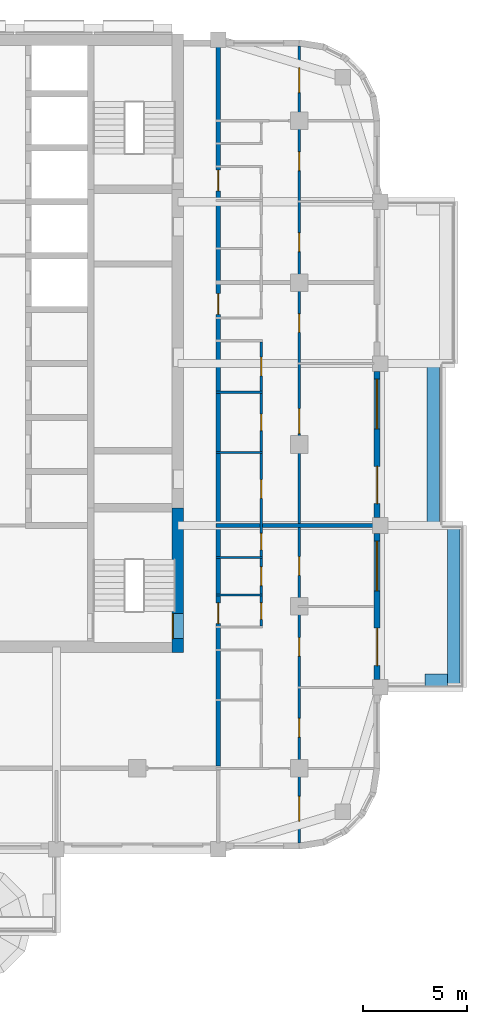
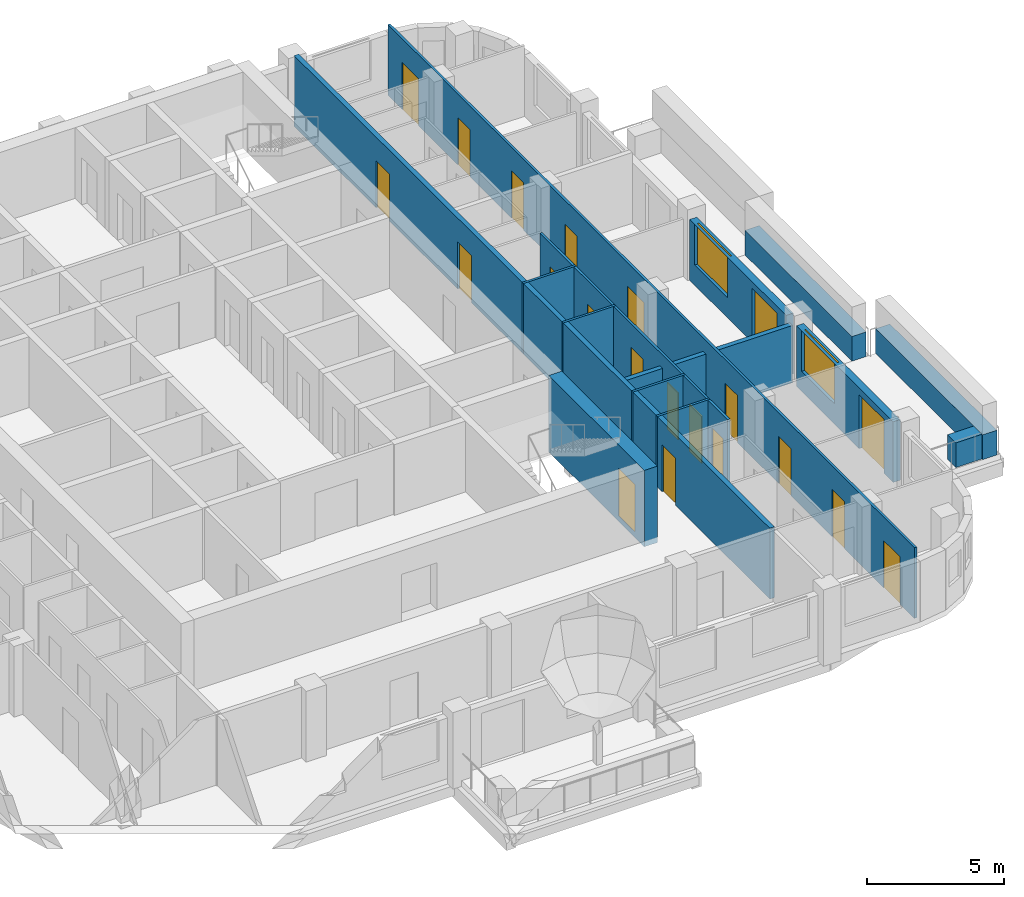
# One storey, part 6 of 14: 21 doors, 14 walls, 2 windows, 23 openings.
"""IFC4 building model written with IfcOpenShell, lengths in metres."""

from ifc_helpers import new_model, si_unit, direction, frame, frame_2d, origin, place, context, subcontext, project, spatial, rectangle, extrude, material, layer, layer_set, type_object, element, fill, save


model = new_model("IFC4")

# Units and contexts
model_context = context("Model", 3, precision=1e-05, world=origin(), true_north=direction((0.0, 1.0)))
body_context = subcontext(model_context, "Body", "Model", "MODEL_VIEW")
ifc_project = project(units=[si_unit("LENGTHUNIT", "METRE"), si_unit("AREAUNIT", "SQUARE_METRE"), si_unit("VOLUMEUNIT", "CUBIC_METRE"), si_unit("PLANEANGLEUNIT", "RADIAN"), si_unit("MASSUNIT", "GRAM", prefix="KILO")], contexts=[model_context])

# Site, building, storey
site_placement = place(None, origin())
site = spatial("IfcSite", under=ifc_project, at=site_placement, CompositionType="ELEMENT")
building_placement = place(site_placement, origin())
building = spatial("IfcBuilding", under=site, at=building_placement, Name="Ludao Terraces", CompositionType="ELEMENT")
storey_placement = place(building_placement, frame((0.0, 0.0, 182.60009765625)))
storey = spatial("IfcBuildingStorey", under=building, at=storey_placement, Name="L49", CompositionType="ELEMENT", Elevation=182.60009765625)

# Wall, opening, door
ifc_material_1 = material(Name="Concrete C60", Category="concrete")
ifc_layer_1 = layer(ifc_material_1, 0.550048828125)
ifc_layer_set_1 = layer_set([ifc_layer_1], Name="Core wall 550 C60")
wall_type_1 = type_object("IfcWallType", Name="Core wall 550 C60", PredefinedType="SOLIDWALL", material=ifc_layer_set_1)
wall_1_placement = place(storey_placement, frame((94.75, 54.97509765625, -0.25), z_axis=(0.0, 0.0, 1.0), x_axis=(0.0, 1.0, 0.0)))
wall_1 = element("IfcWall", 1, at=wall_1_placement, inside=storey, type_object=wall_type_1, Name="Core wall L49 outer-E-S3", PredefinedType="SOLIDWALL", context=body_context, shape_type="SweptSolid", body=[
    extrude(rectangle(XDim=6.974853515625, YDim=0.550048828125, at=frame_2d((3.4873046875, 0.0))), origin(), (0.0, 0.0, 1.0), 3.39990234375),
])
opening_1_placement = place(wall_1_placement, frame((0.675048828125, 0.0, 0.25)))
opening_1 = element("IfcOpeningElement", 2, at=opening_1_placement, cuts=wall_1, Name="Opening R17-017", PredefinedType="OPENING", context=body_context, shape_type="SweptSolid", body=[
    extrude(rectangle(XDim=1.199951171875, YDim=2.10009765625, at=frame_2d((0.60009765625, 1.050048828125))), frame((0.0, 0.28515625, 0.0), z_axis=(0.0, -1.0, 0.0), x_axis=(1.0, 0.0, 0.0)), (0.0, 0.0, 1.0), 0.570068359375),
])
ifc_material_2 = material(Name="Steel Q235", Category="steel")
door_type_1 = type_object("IfcDoorType", Name="INT Stair door 1200", OperationType="DOUBLE_DOOR_SINGLE_SWING", PredefinedType="DOOR", material=ifc_material_2)
door_1_placement = place(opening_1_placement, origin())
door_1 = element("IfcDoor", 3, at=door_1_placement, inside=storey, type_object=door_type_1, Name="DOOR 017", OperationType="DOUBLE_DOOR_SINGLE_SWING", OverallHeight=2.10009765625, OverallWidth=1.199951171875, PredefinedType="DOOR", context=body_context, shape_type="SweptSolid", body=[
    extrude(rectangle(XDim=1.199951171875, YDim=2.10009765625, at=frame_2d((0.60009765625, 1.050048828125))), frame((0.0, 0.26025390625, 0.0), z_axis=(0.0, -1.0, 0.0), x_axis=(1.0, 0.0, 0.0)), (0.0, 0.0, 1.0), 0.050048828125),
])
fill(opening_1, door_1)

# Walls
ifc_material_3 = material(Name="Concrete C40", Category="concrete")
ifc_layer_2 = layer(ifc_material_3, 0.60009765625)
ifc_layer_set_2 = layer_set([ifc_layer_2], Name="ENV Planter trough 600")
wall_type_2 = type_object("IfcWallType", Name="ENV Planter trough 600", PredefinedType="USERDEFINED", material=ifc_layer_set_2)
wall_2_placement = place(storey_placement, frame((108.050048828125, 53.300048828125, 0.0), z_axis=(0.0, 0.0, 1.0), x_axis=(0.0, 1.0, 0.0)))
element("IfcWall", 4, at=wall_2_placement, inside=storey, type_object=wall_type_2, Name="PL-L49-E1", ObjectType="PLANTER", PredefinedType="USERDEFINED", context=body_context, shape_type="SweptSolid", body=[
    extrude(rectangle(XDim=7.800048828125, YDim=0.60009765625, at=frame_2d((3.89990234375, 0.0))), origin(), (0.0, 0.0, 1.0), 1.099853515625),
])
wall_3_placement = place(storey_placement, frame((107.75, 53.64990234375, 0.0), z_axis=(0.0, 0.0, 1.0), x_axis=(-1.0, 0.0, 0.0)))
element("IfcWall", 5, at=wall_3_placement, inside=storey, type_object=wall_type_2, Name="PL-L49-E1-SA", ObjectType="PLANTER", PredefinedType="USERDEFINED", context=body_context, shape_type="SweptSolid", body=[
    extrude(rectangle(XDim=1.10009765625, YDim=0.60009765625, at=frame_2d((0.550048828125, 0.0))), origin(), (0.0, 0.0, 1.0), 1.099853515625),
])
wall_4_placement = place(storey_placement, frame((107.050048828125, 61.10009765625, 0.0), z_axis=(0.0, 0.0, 1.0), x_axis=(0.0, 1.0, 0.0)))
element("IfcWall", 6, at=wall_4_placement, inside=storey, type_object=wall_type_2, Name="PL-L49-E2", ObjectType="PLANTER", PredefinedType="USERDEFINED", context=body_context, shape_type="SweptSolid", body=[
    extrude(rectangle(XDim=7.7998046875, YDim=0.60009765625, at=frame_2d((3.89990234375, 0.0))), origin(), (0.0, 0.0, 1.0), 1.099853515625),
])

# Wall, openings, door, window
ifc_material_4 = material(Name="Granite cladding", Category="masonry")
ifc_layer_3 = layer(ifc_material_4, 0.0400390625, Category="stone")
ifc_material_5 = material(Name="Mineral wool")
ifc_layer_4 = layer(ifc_material_5, 0.06005859375)
ifc_layer_5 = layer(ifc_material_3, 0.199951171875, Category="concrete")
ifc_layer_set_3 = layer_set([ifc_layer_3, ifc_layer_4, ifc_layer_5], Name="ENV Stone-clad wall 300")
wall_type_3 = type_object("IfcWallType", Name="ENV Stone-clad wall 300", PredefinedType="SOLIDWALL", material=ifc_layer_set_3)
wall_5_placement = place(storey_placement, frame((104.35009765625, 53.675048828125, 0.0), z_axis=(0.0, 0.0, 1.0), x_axis=(0.0, 1.0, 0.0)))
wall_5 = element("IfcWall", 7, at=wall_5_placement, inside=storey, type_object=wall_type_3, Name="EW-L49-E2", PredefinedType="SOLIDWALL", context=body_context, shape_type="SweptSolid", body=[
    extrude(rectangle(XDim=7.050048828125, YDim=0.300048828125, at=frame_2d((3.52490234375, 0.0))), origin(), (0.0, 0.0, 1.0), 2.699951171875),
])
opening_2_placement = place(wall_5_placement, frame((0.675048828125, 0.0, 0.0)))
opening_2 = element("IfcOpeningElement", 8, at=opening_2_placement, cuts=wall_5, Name="Opening BD", PredefinedType="OPENING", context=body_context, shape_type="SweptSolid", body=[
    extrude(rectangle(XDim=1.800048828125, YDim=2.39990234375, at=frame_2d((0.89990234375, 1.199951171875))), frame((0.0, 0.16015625, 0.0), z_axis=(0.0, -1.0, 0.0), x_axis=(1.0, 0.0, 0.0)), (0.0, 0.0, 1.0), 0.320068359375),
])
opening_3_placement = place(wall_5_placement, frame((4.27490234375, 0.0, 0.89990234375)))
opening_3 = element("IfcOpeningElement", 9, at=opening_3_placement, cuts=wall_5, Name="Opening W1", PredefinedType="OPENING", context=body_context, shape_type="SweptSolid", body=[
    extrude(rectangle(XDim=2.39990234375, YDim=1.800048828125, at=frame_2d((1.199951171875, 0.89990234375))), frame((0.0, 0.16015625, 0.0), z_axis=(0.0, -1.0, 0.0), x_axis=(1.0, 0.0, 0.0)), (0.0, 0.0, 1.0), 0.320068359375),
])
ifc_material_6 = material(Name="Aluminium glazed door", Category="aluminium")
ifc_layer_6 = layer(ifc_material_6, 0.06005859375)
ifc_layer_set_4 = layer_set([ifc_layer_6], Name="ENV Balcony door BD 1800x2400")
door_type_2 = type_object("IfcDoorType", Name="ENV Balcony door BD 1800x2400", OperationType="DOUBLE_DOOR_SINGLE_SWING", PredefinedType="DOOR", material=ifc_layer_set_4)
door_2_placement = place(opening_2_placement, origin())
door_2 = element("IfcDoor", 10, at=door_2_placement, inside=storey, type_object=door_type_2, Name="BD-L49-E2-1", OperationType="DOUBLE_DOOR_SINGLE_SWING", OverallHeight=2.39990234375, OverallWidth=1.800048828125, PredefinedType="DOOR", context=body_context, shape_type="SweptSolid", body=[
    extrude(rectangle(XDim=1.800048828125, YDim=2.39990234375, at=frame_2d((0.89990234375, 1.199951171875))), frame((0.0, 0.02490234375, 0.0), z_axis=(0.0, -1.0, 0.0), x_axis=(1.0, 0.0, 0.0)), (0.0, 0.0, 1.0), 0.050048828125),
])
fill(opening_2, door_2)
ifc_material_7 = material(Name="Clear glass in aluminium frame", Category="aluminium")
ifc_layer_7 = layer(ifc_material_7, 0.06005859375)
ifc_layer_set_5 = layer_set([ifc_layer_7], Name="ENV Window W1 2400x1800")
window_type = type_object("IfcWindowType", Name="ENV Window W1 2400x1800", PartitioningType="DOUBLE_PANEL_VERTICAL", PredefinedType="WINDOW", material=ifc_layer_set_5)
window_1_placement = place(opening_3_placement, origin())
window_1 = element("IfcWindow", 11, at=window_1_placement, inside=storey, type_object=window_type, Name="W-L49-E2-2", OverallHeight=1.800048828125, OverallWidth=2.39990234375, PartitioningType="DOUBLE_PANEL_VERTICAL", PredefinedType="WINDOW", context=body_context, shape_type="SweptSolid", body=[
    extrude(rectangle(XDim=2.39990234375, YDim=1.800048828125, at=frame_2d((1.199951171875, 0.89990234375))), frame((0.0, 0.030029296875, 0.0), z_axis=(0.0, -1.0, 0.0), x_axis=(1.0, 0.0, 0.0)), (0.0, 0.0, 1.0), 0.06005859375),
])
fill(opening_3, window_1)

wall_6_placement = place(storey_placement, frame((104.35009765625, 61.47509765625, 0.0), z_axis=(0.0, 0.0, 1.0), x_axis=(0.0, 1.0, 0.0)))
wall_6 = element("IfcWall", 12, at=wall_6_placement, inside=storey, type_object=wall_type_3, Name="EW-L49-E3", PredefinedType="SOLIDWALL", context=body_context, shape_type="SweptSolid", body=[
    extrude(rectangle(XDim=7.0498046875, YDim=0.300048828125, at=frame_2d((3.52490234375, 0.0))), origin(), (0.0, 0.0, 1.0), 2.699951171875),
])
opening_4_placement = place(wall_6_placement, frame((0.675048828125, 0.0, 0.0)))
opening_4 = element("IfcOpeningElement", 13, at=opening_4_placement, cuts=wall_6, Name="Opening BD", PredefinedType="OPENING", context=body_context, shape_type="SweptSolid", body=[
    extrude(rectangle(XDim=1.800048828125, YDim=2.39990234375, at=frame_2d((0.89990234375, 1.199951171875))), frame((0.0, 0.16015625, 0.0), z_axis=(0.0, -1.0, 0.0), x_axis=(1.0, 0.0, 0.0)), (0.0, 0.0, 1.0), 0.320068359375),
])
opening_5_placement = place(wall_6_placement, frame((4.27490234375, 0.0, 0.89990234375)))
opening_5 = element("IfcOpeningElement", 14, at=opening_5_placement, cuts=wall_6, Name="Opening W1", PredefinedType="OPENING", context=body_context, shape_type="SweptSolid", body=[
    extrude(rectangle(XDim=2.39990234375, YDim=1.800048828125, at=frame_2d((1.199951171875, 0.89990234375))), frame((0.0, 0.16015625, 0.0), z_axis=(0.0, -1.0, 0.0), x_axis=(1.0, 0.0, 0.0)), (0.0, 0.0, 1.0), 0.320068359375),
])
door_3_placement = place(opening_4_placement, origin())
door_3 = element("IfcDoor", 15, at=door_3_placement, inside=storey, type_object=door_type_2, Name="BD-L49-E3-1", OperationType="DOUBLE_DOOR_SINGLE_SWING", OverallHeight=2.39990234375, OverallWidth=1.800048828125, PredefinedType="DOOR", context=body_context, shape_type="SweptSolid", body=[
    extrude(rectangle(XDim=1.800048828125, YDim=2.39990234375, at=frame_2d((0.89990234375, 1.199951171875))), frame((0.0, 0.02490234375, 0.0), z_axis=(0.0, -1.0, 0.0), x_axis=(1.0, 0.0, 0.0)), (0.0, 0.0, 1.0), 0.050048828125),
])
fill(opening_4, door_3)
window_2_placement = place(opening_5_placement, origin())
window_2 = element("IfcWindow", 16, at=window_2_placement, inside=storey, type_object=window_type, Name="W-L49-E3-2", OverallHeight=1.800048828125, OverallWidth=2.39990234375, PartitioningType="DOUBLE_PANEL_VERTICAL", PredefinedType="WINDOW", context=body_context, shape_type="SweptSolid", body=[
    extrude(rectangle(XDim=2.39990234375, YDim=1.800048828125, at=frame_2d((1.199951171875, 0.89990234375))), frame((0.0, 0.030029296875, 0.0), z_axis=(0.0, -1.0, 0.0), x_axis=(1.0, 0.0, 0.0)), (0.0, 0.0, 1.0), 0.06005859375),
])
fill(opening_5, window_2)

# Wall, openings, doors
ifc_material_8 = material(Name="Autoclaved aerated concrete block B06 A3.5", Category="concrete")
ifc_layer_8 = layer(ifc_material_8, 0.199951171875)
ifc_layer_set_6 = layer_set([ifc_layer_8], Name="INT Entrance wall 200")
wall_type_4 = type_object("IfcWallType", Name="INT Entrance wall 200", PredefinedType="PARTITIONING", material=ifc_layer_set_6)
wall_7_placement = place(storey_placement, frame((96.699951171875, 49.5, 0.0), z_axis=(0.0, 0.0, 1.0), x_axis=(0.0, 1.0, 0.0)))
wall_7 = element("IfcWall", 17, at=wall_7_placement, inside=storey, type_object=wall_type_4, Name="PW-L49-PW056", PredefinedType="PARTITIONING", context=body_context, shape_type="SweptSolid", body=[
    extrude(rectangle(XDim=34.7001953125, YDim=0.199951171875, at=frame_2d((17.35009765625, 0.0))), origin(), (0.0, 0.0, 1.0), 3.14990234375),
])
opening_6_placement = place(wall_7_placement, frame((6.875, 0.0, 0.0)))
opening_6 = element("IfcOpeningElement", 18, at=opening_6_placement, cuts=wall_7, Name="Opening R17-018", PredefinedType="OPENING", context=body_context, shape_type="SweptSolid", body=[
    extrude(rectangle(XDim=1.0, YDim=2.10009765625, at=frame_2d((0.5, 1.050048828125))), frame((0.0, 0.10986328125, 0.0), z_axis=(0.0, -1.0, 0.0), x_axis=(1.0, 0.0, 0.0)), (0.0, 0.0, 1.0), 0.219970703125),
])
opening_7_placement = place(wall_7_placement, frame((21.775146484375, 0.0, 0.0)))
opening_7 = element("IfcOpeningElement", 19, at=opening_7_placement, cuts=wall_7, Name="Opening R17-055", PredefinedType="OPENING", context=body_context, shape_type="SweptSolid", body=[
    extrude(rectangle(XDim=1.0, YDim=2.10009765625, at=frame_2d((0.5, 1.050048828125))), frame((0.0, 0.10986328125, 0.0), z_axis=(0.0, -1.0, 0.0), x_axis=(1.0, 0.0, 0.0)), (0.0, 0.0, 1.0), 0.219970703125),
])
opening_8_placement = place(wall_7_placement, frame((27.72509765625, 0.0, 0.0)))
opening_8 = element("IfcOpeningElement", 20, at=opening_8_placement, cuts=wall_7, Name="Opening R17-072", PredefinedType="OPENING", context=body_context, shape_type="SweptSolid", body=[
    extrude(rectangle(XDim=1.0, YDim=2.10009765625, at=frame_2d((0.5, 1.050048828125))), frame((0.0, 0.10986328125, 0.0), z_axis=(0.0, -1.0, 0.0), x_axis=(1.0, 0.0, 0.0)), (0.0, 0.0, 1.0), 0.219970703125),
])
door_type_3 = type_object("IfcDoorType", Name="INT Flat entrance door 1000", OperationType="SINGLE_SWING_LEFT", PredefinedType="DOOR", material=ifc_material_2)
door_4_placement = place(opening_6_placement, origin())
door_4 = element("IfcDoor", 21, at=door_4_placement, inside=storey, type_object=door_type_3, Name="DOOR 018", OperationType="SINGLE_SWING_LEFT", OverallHeight=2.10009765625, OverallWidth=1.0, PredefinedType="DOOR", context=body_context, shape_type="SweptSolid", body=[
    extrude(rectangle(XDim=1.0, YDim=2.10009765625, at=frame_2d((0.5, 1.050048828125))), frame((0.0, 0.02490234375, 0.0), z_axis=(0.0, -1.0, 0.0), x_axis=(1.0, 0.0, 0.0)), (0.0, 0.0, 1.0), 0.050048828125),
])
fill(opening_6, door_4)
door_5_placement = place(opening_7_placement, origin())
door_5 = element("IfcDoor", 22, at=door_5_placement, inside=storey, type_object=door_type_3, Name="DOOR 055", OperationType="SINGLE_SWING_LEFT", OverallHeight=2.10009765625, OverallWidth=1.0, PredefinedType="DOOR", context=body_context, shape_type="SweptSolid", body=[
    extrude(rectangle(XDim=1.0, YDim=2.10009765625, at=frame_2d((0.5, 1.050048828125))), frame((0.0, 0.02490234375, 0.0), z_axis=(0.0, -1.0, 0.0), x_axis=(1.0, 0.0, 0.0)), (0.0, 0.0, 1.0), 0.050048828125),
])
fill(opening_7, door_5)
door_6_placement = place(opening_8_placement, origin())
door_6 = element("IfcDoor", 23, at=door_6_placement, inside=storey, type_object=door_type_3, Name="DOOR 072", OperationType="SINGLE_SWING_RIGHT", OverallHeight=2.10009765625, OverallWidth=1.0, PredefinedType="DOOR", context=body_context, shape_type="SweptSolid", body=[
    extrude(rectangle(XDim=1.0, YDim=2.10009765625, at=frame_2d((0.5, 1.050048828125))), frame((0.0, 0.02490234375, 0.0), z_axis=(0.0, -1.0, 0.0), x_axis=(1.0, 0.0, 0.0)), (0.0, 0.0, 1.0), 0.050048828125),
])
fill(opening_8, door_6)

# Walls
ifc_material_9 = material(Name="Gypsum plasterboard", Category="gypsum")
ifc_layer_9 = layer(ifc_material_9, 0.012451171875, Category="gypsum")
ifc_layer_10 = layer(ifc_material_5, 0.06005859375, Name="insulation")
ifc_layer_11 = layer(ifc_material_2, 0.014892578125, Name="stud")
ifc_layer_12 = layer(ifc_material_9, 0.012451171875, Category="gypsum")
ifc_layer_set_7 = layer_set([ifc_layer_9, ifc_layer_10, ifc_layer_11, ifc_layer_12], Name="INT Partition 100")
wall_type_5 = type_object("IfcWallType", Name="INT Partition 100", PredefinedType="PARTITIONING", material=ifc_layer_set_7)
for number, where, z_axis, x_axis, name in (
    (24, (96.60009765625, 57.75, 0.0), (0.0, 0.0, 1.0), (1.0, 0.0, 0.0), "PW-L49-PW012"),
    (25, (96.60009765625, 59.550048828125, 0.0), (0.0, 0.0, 1.0), (1.0, 0.0, 0.0), "PW-L49-PW014"),
    (26, (96.60009765625, 64.6201171875, 0.0), (0.0, 0.0, 1.0), (1.0, 0.0, 0.0), "PW-L49-PW020"),
    (27, (96.60009765625, 67.52001953125, 0.0), (0.0, 0.0, 1.0), (1.0, 0.0, 0.0), "PW-L49-PW023"),
):
    element("IfcWall", number, at=place(storey_placement, frame(where, z_axis=z_axis, x_axis=x_axis)), inside=storey, type_object=wall_type_5, Name=name, PredefinedType="PARTITIONING", context=body_context, shape_type="SweptSolid", body=[
        extrude(rectangle(XDim=2.219970703125, YDim=0.10009765625, at=frame_2d((1.10986328125, 0.0))), origin(), (0.0, 0.0, 1.0), 3.14990234375),
    ])

# Wall, openings, doors
wall_8_placement = place(storey_placement, frame((98.77001953125, 56.25, 0.0), z_axis=(0.0, 0.0, 1.0), x_axis=(0.0, 1.0, 0.0)))
wall_8 = element("IfcWall", 28, at=wall_8_placement, inside=storey, type_object=wall_type_5, Name="PW-L49-PW058", PredefinedType="PARTITIONING", context=body_context, shape_type="SweptSolid", body=[
    extrude(rectangle(XDim=13.7001953125, YDim=0.10009765625, at=frame_2d((6.85009765625, 0.0))), origin(), (0.0, 0.0, 1.0), 3.14990234375),
])
opening_9_placement = place(wall_8_placement, frame((0.3251953125, 0.0, 0.0)))
opening_9 = element("IfcOpeningElement", 29, at=opening_9_placement, cuts=wall_8, Name="Opening R17-019", PredefinedType="OPENING", context=body_context, shape_type="SweptSolid", body=[
    extrude(rectangle(XDim=0.800048828125, YDim=2.10009765625, at=frame_2d((0.39990234375, 1.050048828125))), frame((0.0, 0.06005859375, 0.0), z_axis=(0.0, -1.0, 0.0), x_axis=(1.0, 0.0, 0.0)), (0.0, 0.0, 1.0), 0.1201171875),
])
opening_10_placement = place(wall_8_placement, frame((1.9501953125, 0.0, 0.0)))
opening_10 = element("IfcOpeningElement", 30, at=opening_10_placement, cuts=wall_8, Name="Opening R17-022", PredefinedType="OPENING", context=body_context, shape_type="SweptSolid", body=[
    extrude(rectangle(XDim=0.89990234375, YDim=2.10009765625, at=frame_2d((0.449951171875, 1.050048828125))), frame((0.0, 0.06005859375, 0.0), z_axis=(0.0, -1.0, 0.0), x_axis=(1.0, 0.0, 0.0)), (0.0, 0.0, 1.0), 0.1201171875),
])
opening_11_placement = place(wall_8_placement, frame((3.675048828125, 0.0, 0.0)))
opening_11 = element("IfcOpeningElement", 31, at=opening_11_placement, cuts=wall_8, Name="Opening R17-025", PredefinedType="OPENING", context=body_context, shape_type="SweptSolid", body=[
    extrude(rectangle(XDim=0.800048828125, YDim=2.10009765625, at=frame_2d((0.39990234375, 1.050048828125))), frame((0.0, 0.06005859375, 0.0), z_axis=(0.0, -1.0, 0.0), x_axis=(1.0, 0.0, 0.0)), (0.0, 0.0, 1.0), 0.1201171875),
])
opening_12_placement = place(wall_8_placement, frame((6.16015625, 0.0, 0.0)))
opening_12 = element("IfcOpeningElement", 32, at=opening_12_placement, cuts=wall_8, Name="Opening R17-031", PredefinedType="OPENING", context=body_context, shape_type="SweptSolid", body=[
    extrude(rectangle(XDim=0.89990234375, YDim=2.10009765625, at=frame_2d((0.449951171875, 1.050048828125))), frame((0.0, 0.06005859375, 0.0), z_axis=(0.0, -1.0, 0.0), x_axis=(1.0, 0.0, 0.0)), (0.0, 0.0, 1.0), 0.1201171875),
])
opening_13_placement = place(wall_8_placement, frame((9.420166015625, 0.0, 0.0)))
opening_13 = element("IfcOpeningElement", 33, at=opening_13_placement, cuts=wall_8, Name="Opening R17-039", PredefinedType="OPENING", context=body_context, shape_type="SweptSolid", body=[
    extrude(rectangle(XDim=0.800048828125, YDim=2.10009765625, at=frame_2d((0.39990234375, 1.050048828125))), frame((0.0, 0.06005859375, 0.0), z_axis=(0.0, -1.0, 0.0), x_axis=(1.0, 0.0, 0.0)), (0.0, 0.0, 1.0), 0.1201171875),
])
opening_14_placement = place(wall_8_placement, frame((12.06005859375, 0.0, 0.0)))
opening_14 = element("IfcOpeningElement", 34, at=opening_14_placement, cuts=wall_8, Name="Opening R17-045", PredefinedType="OPENING", context=body_context, shape_type="SweptSolid", body=[
    extrude(rectangle(XDim=0.89990234375, YDim=2.10009765625, at=frame_2d((0.449951171875, 1.050048828125))), frame((0.0, 0.06005859375, 0.0), z_axis=(0.0, -1.0, 0.0), x_axis=(1.0, 0.0, 0.0)), (0.0, 0.0, 1.0), 0.1201171875),
])
ifc_material_10 = material(Name="Timber door leaf", Category="wood")
door_type_4 = type_object("IfcDoorType", Name="INT Bathroom door 900", OperationType="SINGLE_SWING_LEFT", PredefinedType="DOOR", material=ifc_material_10)
door_7_placement = place(opening_10_placement, origin())
door_7 = element("IfcDoor", 35, at=door_7_placement, inside=storey, type_object=door_type_4, Name="DOOR 022", OperationType="SINGLE_SWING_RIGHT", OverallHeight=2.10009765625, OverallWidth=0.89990234375, PredefinedType="DOOR", context=body_context, shape_type="SweptSolid", body=[
    extrude(rectangle(XDim=0.89990234375, YDim=2.10009765625, at=frame_2d((0.449951171875, 1.050048828125))), frame((0.0, 0.02490234375, 0.0), z_axis=(0.0, -1.0, 0.0), x_axis=(1.0, 0.0, 0.0)), (0.0, 0.0, 1.0), 0.050048828125),
])
fill(opening_10, door_7)
door_8_placement = place(opening_14_placement, origin())
door_8 = element("IfcDoor", 36, at=door_8_placement, inside=storey, type_object=door_type_4, Name="DOOR 045", OperationType="SINGLE_SWING_LEFT", OverallHeight=2.10009765625, OverallWidth=0.89990234375, PredefinedType="DOOR", context=body_context, shape_type="SweptSolid", body=[
    extrude(rectangle(XDim=0.89990234375, YDim=2.10009765625, at=frame_2d((0.449951171875, 1.050048828125))), frame((0.0, 0.02490234375, 0.0), z_axis=(0.0, -1.0, 0.0), x_axis=(1.0, 0.0, 0.0)), (0.0, 0.0, 1.0), 0.050048828125),
])
fill(opening_14, door_8)
door_type_5 = type_object("IfcDoorType", Name="INT Room door 900", OperationType="SINGLE_SWING_LEFT", PredefinedType="DOOR", material=ifc_material_10)
door_9_placement = place(opening_12_placement, origin())
door_9 = element("IfcDoor", 37, at=door_9_placement, inside=storey, type_object=door_type_5, Name="DOOR 031", OperationType="SINGLE_SWING_LEFT", OverallHeight=2.10009765625, OverallWidth=0.89990234375, PredefinedType="DOOR", context=body_context, shape_type="SweptSolid", body=[
    extrude(rectangle(XDim=0.89990234375, YDim=2.10009765625, at=frame_2d((0.449951171875, 1.050048828125))), frame((0.0, 0.02490234375, 0.0), z_axis=(0.0, -1.0, 0.0), x_axis=(1.0, 0.0, 0.0)), (0.0, 0.0, 1.0), 0.050048828125),
])
fill(opening_12, door_9)
door_type_6 = type_object("IfcDoorType", Name="INT Store door 800", OperationType="SINGLE_SWING_LEFT", PredefinedType="DOOR", material=ifc_material_10)
door_10_placement = place(opening_9_placement, origin())
door_10 = element("IfcDoor", 38, at=door_10_placement, inside=storey, type_object=door_type_6, Name="DOOR 019", OperationType="SINGLE_SWING_LEFT", OverallHeight=2.10009765625, OverallWidth=0.800048828125, PredefinedType="DOOR", context=body_context, shape_type="SweptSolid", body=[
    extrude(rectangle(XDim=0.800048828125, YDim=2.10009765625, at=frame_2d((0.39990234375, 1.050048828125))), frame((0.0, 0.02490234375, 0.0), z_axis=(0.0, -1.0, 0.0), x_axis=(1.0, 0.0, 0.0)), (0.0, 0.0, 1.0), 0.050048828125),
])
fill(opening_9, door_10)
door_11_placement = place(opening_11_placement, origin())
door_11 = element("IfcDoor", 39, at=door_11_placement, inside=storey, type_object=door_type_6, Name="DOOR 025", OperationType="SINGLE_SWING_RIGHT", OverallHeight=2.10009765625, OverallWidth=0.800048828125, PredefinedType="DOOR", context=body_context, shape_type="SweptSolid", body=[
    extrude(rectangle(XDim=0.800048828125, YDim=2.10009765625, at=frame_2d((0.39990234375, 1.050048828125))), frame((0.0, 0.02490234375, 0.0), z_axis=(0.0, -1.0, 0.0), x_axis=(1.0, 0.0, 0.0)), (0.0, 0.0, 1.0), 0.050048828125),
])
fill(opening_11, door_11)
door_12_placement = place(opening_13_placement, origin())
door_12 = element("IfcDoor", 40, at=door_12_placement, inside=storey, type_object=door_type_6, Name="DOOR 039", OperationType="SINGLE_SWING_LEFT", OverallHeight=2.10009765625, OverallWidth=0.800048828125, PredefinedType="DOOR", context=body_context, shape_type="SweptSolid", body=[
    extrude(rectangle(XDim=0.800048828125, YDim=2.10009765625, at=frame_2d((0.39990234375, 1.050048828125))), frame((0.0, 0.02490234375, 0.0), z_axis=(0.0, -1.0, 0.0), x_axis=(1.0, 0.0, 0.0)), (0.0, 0.0, 1.0), 0.050048828125),
])
fill(opening_13, door_12)

wall_9_placement = place(storey_placement, frame((100.60009765625, 45.800048828125, 0.0), z_axis=(0.0, 0.0, 1.0), x_axis=(0.0, 1.0, 0.0)))
wall_9 = element("IfcWall", 41, at=wall_9_placement, inside=storey, type_object=wall_type_5, Name="PW-L49-PW061", PredefinedType="PARTITIONING", context=body_context, shape_type="SweptSolid", body=[
    extrude(rectangle(XDim=38.400146484375, YDim=0.10009765625, at=frame_2d((19.2001953125, 0.0))), origin(), (0.0, 0.0, 1.0), 3.14990234375),
])
opening_15_placement = place(wall_9_placement, frame((1.050048828125, 0.0, 0.0)))
opening_15 = element("IfcOpeningElement", 42, at=opening_15_placement, cuts=wall_9, Name="Opening R17-002", PredefinedType="OPENING", context=body_context, shape_type="SweptSolid", body=[
    extrude(rectangle(XDim=1.199951171875, YDim=2.10009765625, at=frame_2d((0.60009765625, 1.050048828125))), frame((0.0, 0.06005859375, 0.0), z_axis=(0.0, -1.0, 0.0), x_axis=(1.0, 0.0, 0.0)), (0.0, 0.0, 1.0), 0.1201171875),
])
opening_16_placement = place(wall_9_placement, frame((5.10009765625, 0.0, 0.0)))
opening_16 = element("IfcOpeningElement", 43, at=opening_16_placement, cuts=wall_9, Name="Opening R17-009", PredefinedType="OPENING", context=body_context, shape_type="SweptSolid", body=[
    extrude(rectangle(XDim=0.89990234375, YDim=2.10009765625, at=frame_2d((0.449951171875, 1.050048828125))), frame((0.0, 0.06005859375, 0.0), z_axis=(0.0, -1.0, 0.0), x_axis=(1.0, 0.0, 0.0)), (0.0, 0.0, 1.0), 0.1201171875),
])
opening_17_placement = place(wall_9_placement, frame((9.0, 0.0, 0.0)))
opening_17 = element("IfcOpeningElement", 44, at=opening_17_placement, cuts=wall_9, Name="Opening R17-014", PredefinedType="OPENING", context=body_context, shape_type="SweptSolid", body=[
    extrude(rectangle(XDim=0.89990234375, YDim=2.10009765625, at=frame_2d((0.449951171875, 1.050048828125))), frame((0.0, 0.06005859375, 0.0), z_axis=(0.0, -1.0, 0.0), x_axis=(1.0, 0.0, 0.0)), (0.0, 0.0, 1.0), 0.1201171875),
])
opening_18_placement = place(wall_9_placement, frame((12.89990234375, 0.0, 0.0)))
opening_18 = element("IfcOpeningElement", 45, at=opening_18_placement, cuts=wall_9, Name="Opening R17-024", PredefinedType="OPENING", context=body_context, shape_type="SweptSolid", body=[
    extrude(rectangle(XDim=0.89990234375, YDim=2.10009765625, at=frame_2d((0.449951171875, 1.050048828125))), frame((0.0, 0.06005859375, 0.0), z_axis=(0.0, -1.0, 0.0), x_axis=(1.0, 0.0, 0.0)), (0.0, 0.0, 1.0), 0.1201171875),
])
opening_19_placement = place(wall_9_placement, frame((19.72509765625, 0.0, 0.0)))
opening_19 = element("IfcOpeningElement", 46, at=opening_19_placement, cuts=wall_9, Name="Opening R17-040", PredefinedType="OPENING", context=body_context, shape_type="SweptSolid", body=[
    extrude(rectangle(XDim=1.199951171875, YDim=2.10009765625, at=frame_2d((0.60009765625, 1.050048828125))), frame((0.0, 0.06005859375, 0.0), z_axis=(0.0, -1.0, 0.0), x_axis=(1.0, 0.0, 0.0)), (0.0, 0.0, 1.0), 0.1201171875),
])
opening_20_placement = place(wall_9_placement, frame((24.60009765625, 0.0, 0.0)))
opening_20 = element("IfcOpeningElement", 47, at=opening_20_placement, cuts=wall_9, Name="Opening R17-053", PredefinedType="OPENING", context=body_context, shape_type="SweptSolid", body=[
    extrude(rectangle(XDim=0.89990234375, YDim=2.10009765625, at=frame_2d((0.449951171875, 1.050048828125))), frame((0.0, 0.06005859375, 0.0), z_axis=(0.0, -1.0, 0.0), x_axis=(1.0, 0.0, 0.0)), (0.0, 0.0, 1.0), 0.1201171875),
])
opening_21_placement = place(wall_9_placement, frame((28.5, 0.0, 0.0)))
opening_21 = element("IfcOpeningElement", 48, at=opening_21_placement, cuts=wall_9, Name="Opening R17-063", PredefinedType="OPENING", context=body_context, shape_type="SweptSolid", body=[
    extrude(rectangle(XDim=0.89990234375, YDim=2.10009765625, at=frame_2d((0.449951171875, 1.050048828125))), frame((0.0, 0.06005859375, 0.0), z_axis=(0.0, -1.0, 0.0), x_axis=(1.0, 0.0, 0.0)), (0.0, 0.0, 1.0), 0.1201171875),
])
opening_22_placement = place(wall_9_placement, frame((32.39990234375, 0.0, 0.0)))
opening_22 = element("IfcOpeningElement", 49, at=opening_22_placement, cuts=wall_9, Name="Opening R17-078", PredefinedType="OPENING", context=body_context, shape_type="SweptSolid", body=[
    extrude(rectangle(XDim=0.89990234375, YDim=2.10009765625, at=frame_2d((0.449951171875, 1.050048828125))), frame((0.0, 0.06005859375, 0.0), z_axis=(0.0, -1.0, 0.0), x_axis=(1.0, 0.0, 0.0)), (0.0, 0.0, 1.0), 0.1201171875),
])
opening_23_placement = place(wall_9_placement, frame((36.14990234375, 0.0, 0.0)))
opening_23 = element("IfcOpeningElement", 50, at=opening_23_placement, cuts=wall_9, Name="Opening R17-087", PredefinedType="OPENING", context=body_context, shape_type="SweptSolid", body=[
    extrude(rectangle(XDim=1.199951171875, YDim=2.10009765625, at=frame_2d((0.60009765625, 1.050048828125))), frame((0.0, 0.06005859375, 0.0), z_axis=(0.0, -1.0, 0.0), x_axis=(1.0, 0.0, 0.0)), (0.0, 0.0, 1.0), 0.1201171875),
])
door_type_7 = type_object("IfcDoorType", Name="INT Double door 1200", OperationType="DOUBLE_DOOR_SINGLE_SWING", PredefinedType="DOOR", material=ifc_material_10)
door_13_placement = place(opening_15_placement, origin())
door_13 = element("IfcDoor", 51, at=door_13_placement, inside=storey, type_object=door_type_7, Name="DOOR 002", OperationType="DOUBLE_DOOR_SINGLE_SWING", OverallHeight=2.10009765625, OverallWidth=1.199951171875, PredefinedType="DOOR", context=body_context, shape_type="SweptSolid", body=[
    extrude(rectangle(XDim=1.199951171875, YDim=2.10009765625, at=frame_2d((0.60009765625, 1.050048828125))), frame((0.0, 0.02490234375, 0.0), z_axis=(0.0, -1.0, 0.0), x_axis=(1.0, 0.0, 0.0)), (0.0, 0.0, 1.0), 0.050048828125),
])
fill(opening_15, door_13)
door_14_placement = place(opening_19_placement, origin())
door_14 = element("IfcDoor", 52, at=door_14_placement, inside=storey, type_object=door_type_7, Name="DOOR 040", OperationType="DOUBLE_DOOR_SINGLE_SWING", OverallHeight=2.10009765625, OverallWidth=1.199951171875, PredefinedType="DOOR", context=body_context, shape_type="SweptSolid", body=[
    extrude(rectangle(XDim=1.199951171875, YDim=2.10009765625, at=frame_2d((0.60009765625, 1.050048828125))), frame((0.0, 0.02490234375, 0.0), z_axis=(0.0, -1.0, 0.0), x_axis=(1.0, 0.0, 0.0)), (0.0, 0.0, 1.0), 0.050048828125),
])
fill(opening_19, door_14)
door_15_placement = place(opening_23_placement, origin())
door_15 = element("IfcDoor", 53, at=door_15_placement, inside=storey, type_object=door_type_7, Name="DOOR 087", OperationType="DOUBLE_DOOR_SINGLE_SWING", OverallHeight=2.10009765625, OverallWidth=1.199951171875, PredefinedType="DOOR", context=body_context, shape_type="SweptSolid", body=[
    extrude(rectangle(XDim=1.199951171875, YDim=2.10009765625, at=frame_2d((0.60009765625, 1.050048828125))), frame((0.0, 0.02490234375, 0.0), z_axis=(0.0, -1.0, 0.0), x_axis=(1.0, 0.0, 0.0)), (0.0, 0.0, 1.0), 0.050048828125),
])
fill(opening_23, door_15)
door_16_placement = place(opening_16_placement, origin())
door_16 = element("IfcDoor", 54, at=door_16_placement, inside=storey, type_object=door_type_5, Name="DOOR 009", OperationType="SINGLE_SWING_LEFT", OverallHeight=2.10009765625, OverallWidth=0.89990234375, PredefinedType="DOOR", context=body_context, shape_type="SweptSolid", body=[
    extrude(rectangle(XDim=0.89990234375, YDim=2.10009765625, at=frame_2d((0.449951171875, 1.050048828125))), frame((0.0, 0.02490234375, 0.0), z_axis=(0.0, -1.0, 0.0), x_axis=(1.0, 0.0, 0.0)), (0.0, 0.0, 1.0), 0.050048828125),
])
fill(opening_16, door_16)
door_17_placement = place(opening_17_placement, origin())
door_17 = element("IfcDoor", 55, at=door_17_placement, inside=storey, type_object=door_type_5, Name="DOOR 014", OperationType="SINGLE_SWING_LEFT", OverallHeight=2.10009765625, OverallWidth=0.89990234375, PredefinedType="DOOR", context=body_context, shape_type="SweptSolid", body=[
    extrude(rectangle(XDim=0.89990234375, YDim=2.10009765625, at=frame_2d((0.449951171875, 1.050048828125))), frame((0.0, 0.02490234375, 0.0), z_axis=(0.0, -1.0, 0.0), x_axis=(1.0, 0.0, 0.0)), (0.0, 0.0, 1.0), 0.050048828125),
])
fill(opening_17, door_17)
door_18_placement = place(opening_18_placement, origin())
door_18 = element("IfcDoor", 56, at=door_18_placement, inside=storey, type_object=door_type_5, Name="DOOR 024", OperationType="SINGLE_SWING_RIGHT", OverallHeight=2.10009765625, OverallWidth=0.89990234375, PredefinedType="DOOR", context=body_context, shape_type="SweptSolid", body=[
    extrude(rectangle(XDim=0.89990234375, YDim=2.10009765625, at=frame_2d((0.449951171875, 1.050048828125))), frame((0.0, 0.02490234375, 0.0), z_axis=(0.0, -1.0, 0.0), x_axis=(1.0, 0.0, 0.0)), (0.0, 0.0, 1.0), 0.050048828125),
])
fill(opening_18, door_18)
door_19_placement = place(opening_20_placement, origin())
door_19 = element("IfcDoor", 57, at=door_19_placement, inside=storey, type_object=door_type_5, Name="DOOR 053", OperationType="SINGLE_SWING_LEFT", OverallHeight=2.10009765625, OverallWidth=0.89990234375, PredefinedType="DOOR", context=body_context, shape_type="SweptSolid", body=[
    extrude(rectangle(XDim=0.89990234375, YDim=2.10009765625, at=frame_2d((0.449951171875, 1.050048828125))), frame((0.0, 0.02490234375, 0.0), z_axis=(0.0, -1.0, 0.0), x_axis=(1.0, 0.0, 0.0)), (0.0, 0.0, 1.0), 0.050048828125),
])
fill(opening_20, door_19)
door_20_placement = place(opening_21_placement, origin())
door_20 = element("IfcDoor", 58, at=door_20_placement, inside=storey, type_object=door_type_5, Name="DOOR 063", OperationType="SINGLE_SWING_LEFT", OverallHeight=2.10009765625, OverallWidth=0.89990234375, PredefinedType="DOOR", context=body_context, shape_type="SweptSolid", body=[
    extrude(rectangle(XDim=0.89990234375, YDim=2.10009765625, at=frame_2d((0.449951171875, 1.050048828125))), frame((0.0, 0.02490234375, 0.0), z_axis=(0.0, -1.0, 0.0), x_axis=(1.0, 0.0, 0.0)), (0.0, 0.0, 1.0), 0.050048828125),
])
fill(opening_21, door_20)
door_21_placement = place(opening_22_placement, origin())
door_21 = element("IfcDoor", 59, at=door_21_placement, inside=storey, type_object=door_type_5, Name="DOOR 078", OperationType="SINGLE_SWING_LEFT", OverallHeight=2.10009765625, OverallWidth=0.89990234375, PredefinedType="DOOR", context=body_context, shape_type="SweptSolid", body=[
    extrude(rectangle(XDim=0.89990234375, YDim=2.10009765625, at=frame_2d((0.449951171875, 1.050048828125))), frame((0.0, 0.02490234375, 0.0), z_axis=(0.0, -1.0, 0.0), x_axis=(1.0, 0.0, 0.0)), (0.0, 0.0, 1.0), 0.050048828125),
])
fill(opening_22, door_21)

# Wall
ifc_layer_13 = layer(ifc_material_8, 0.199951171875)
ifc_layer_set_8 = layer_set([ifc_layer_13], Name="INT Party wall 200")
wall_type_6 = type_object("IfcWallType", Name="INT Party wall 200", PredefinedType="PARTITIONING", material=ifc_layer_set_8)
wall_10_placement = place(storey_placement, frame((96.60009765625, 61.10009765625, 0.0), z_axis=(0.0, 0.0, 1.0), x_axis=(1.0, 0.0, 0.0)))
element("IfcWall", 60, at=wall_10_placement, inside=storey, type_object=wall_type_6, Name="PW-L49-PW018", PredefinedType="PARTITIONING", context=body_context, shape_type="SweptSolid", body=[
    extrude(rectangle(XDim=7.60009765625, YDim=0.199951171875, at=frame_2d((3.800048828125, 0.0))), origin(), (0.0, 0.0, 1.0), 2.5498046875),
])

save(model, "model.ifc")
